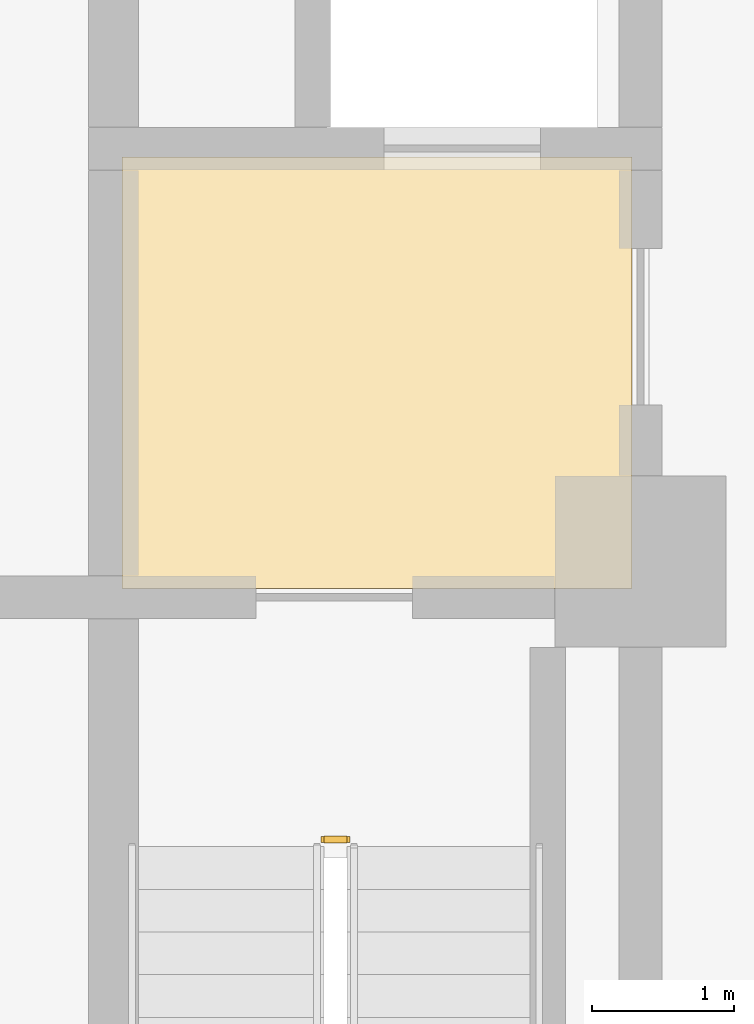
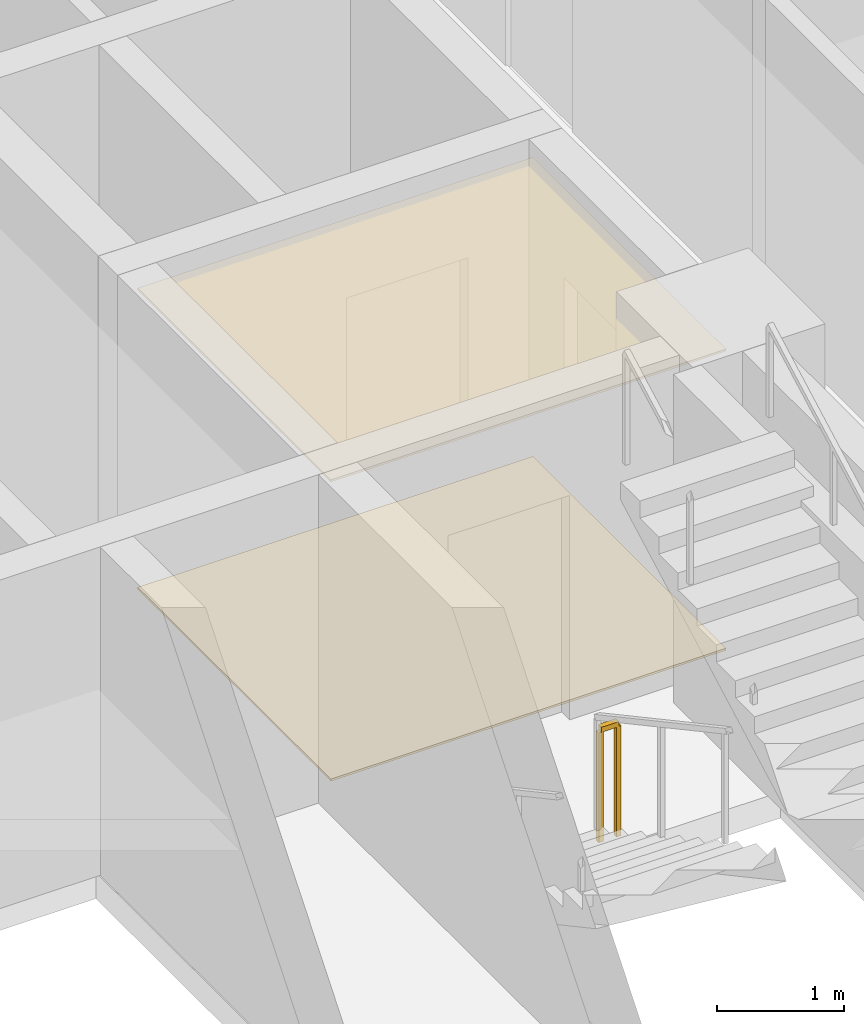
# One storey, part 9 of 12: 2 coverings, 1 railing.
"""IFC4 building model written with IfcOpenShell, lengths in metres."""

import ifcopenshell
import ifcopenshell.guid

model = None  # the IFC model being written
_history = None  # IfcOwnerHistory: only IFC2X3 demands one
_inside = {}  # id of a spatial element -> (the spatial element, [elements in it])
_under = {}  # id of a project, library or spatial element -> (it, [spatial elements below it])
_declared = {}  # id of a project -> (the project, [libraries it declares])
_typed = {}  # id of a type object -> (the type object, [elements of that type])
_made_of = {}  # id of a material, layer set ... -> (it, [elements and type objects made of it])


def new_model(schema):
    """Start an empty IFC model of exactly this schema.

    Asked for "IFC4X3", IfcOpenShell would pick the latest addendum, in which some entities
    have other attributes; the version numbers below select the first issue.
    IFC2X3 requires an IfcOwnerHistory on every rooted entity: one is made here for all.
    """
    global model, _history
    if schema == "IFC4X3":
        model = ifcopenshell.file(schema_version=(4, 3, 0, 0))
    else:
        model = ifcopenshell.file(schema=schema)
    _inside.clear()
    _under.clear()
    _declared.clear()
    _typed.clear()
    _made_of.clear()
    _history = None
    if model.schema == "IFC2X3":
        org = make("IfcOrganization", Name="unknown")
        user = make(
            "IfcPersonAndOrganization",
            ThePerson=make("IfcPerson", FamilyName="unknown"),
            TheOrganization=org,
        )
        app = make(
            "IfcApplication",
            ApplicationDeveloper=org,
            Version="unknown",
            ApplicationFullName="unknown",
            ApplicationIdentifier="unknown",
        )
        _history = make(
            "IfcOwnerHistory",
            OwningUser=user,
            OwningApplication=app,
            ChangeAction="ADDED",
            CreationDate=0,
        )
    return model


def make(cls, **values):
    """One entity of the class cls with the attributes given. An attribute that is None is left unset."""
    return model.create_entity(
        cls, **{name: value for name, value in values.items() if value is not None}
    )


def rooted(cls, **values):
    """An entity with a GlobalId (a new one), such as an element, a storey or a relation."""
    return make(cls, GlobalId=ifcopenshell.guid.new(), OwnerHistory=_history, **values)


def si_unit(unit_type, name, prefix=None):
    """IfcSIUnit, for example si_unit("LENGTHUNIT", "METRE", prefix="MILLI")."""
    return make("IfcSIUnit", UnitType=unit_type, Prefix=prefix, Name=name)


def assignment(units):
    """IfcUnitAssignment: the units of a project."""
    return None if units is None else make("IfcUnitAssignment", Units=units)


def point(xyz):
    """IfcCartesianPoint."""
    return None if xyz is None else make("IfcCartesianPoint", Coordinates=xyz)


def direction(xyz):
    """IfcDirection."""
    return None if xyz is None else make("IfcDirection", DirectionRatios=xyz)


def frame(location, z_axis=None, x_axis=None):
    """IfcAxis2Placement3D, a coordinate frame: its origin and axes. An axis left out is left unset."""
    return make(
        "IfcAxis2Placement3D",
        Location=point(location),
        Axis=direction(z_axis),
        RefDirection=direction(x_axis),
    )


def frame_2d(location, x_axis=None):
    """IfcAxis2Placement2D, a coordinate frame in the plane: its origin and x axis."""
    return make(
        "IfcAxis2Placement2D", Location=point(location), RefDirection=direction(x_axis)
    )


def origin():
    """The frame at (0, 0, 0) with its axes left unset."""
    return frame((0.0, 0.0, 0.0))


def origin_2d():
    """The frame at (0, 0) in the plane with its x axis left unset."""
    return frame_2d((0.0, 0.0))


def place(relative_to, where):
    """IfcLocalPlacement: puts the frame where relative to a parent placement (None: the world)."""
    return make(
        "IfcLocalPlacement", PlacementRelTo=relative_to, RelativePlacement=where
    )


def context(
    kind, dimensions, precision=None, world=None, true_north=None, identifier=None
):
    """IfcGeometricRepresentationContext, for example the 3D "Model" context."""
    return make(
        "IfcGeometricRepresentationContext",
        ContextIdentifier=identifier,
        ContextType=kind,
        CoordinateSpaceDimension=dimensions,
        Precision=precision,
        WorldCoordinateSystem=world,
        TrueNorth=true_north,
    )


def subcontext(parent, identifier, kind, view, scale=None):
    """IfcGeometricRepresentationSubContext, for example "Body" below "Model"."""
    return make(
        "IfcGeometricRepresentationSubContext",
        ContextIdentifier=identifier,
        ContextType=kind,
        ParentContext=parent,
        TargetScale=scale,
        TargetView=view,
    )


def project(units=None, contexts=None):
    """IfcProject with its units and contexts."""
    return rooted(
        "IfcProject",
        Name="project",
        RepresentationContexts=contexts,
        UnitsInContext=assignment(units),
    )


def spatial(cls, under=None, at=None, **own):
    """A site, building, storey or space (cls), placed at a placement, below another one or the project."""
    s = rooted(cls, ObjectPlacement=at, **own)
    if under is not None:
        _under.setdefault(under.id(), (under, []))[1].append(s)
    return s


def polyline(points):
    """IfcPolyline through the points."""
    return make("IfcPolyline", Points=[point(p) for p in points])


def profile(cls, at=None, kind="AREA", **sizes):
    """A parametric profile (cls). Its sizes go by their IFC names, for example OverallWidth=200.0."""
    return make(cls, ProfileType=kind, Position=at, **sizes)


def rectangle(**sizes):
    """IfcRectangleProfileDef."""
    return profile("IfcRectangleProfileDef", **sizes)


def outline(outer, holes=None, kind="AREA"):
    """IfcArbitraryClosedProfileDef: a profile drawn as a closed curve; with holes, ...WithVoids."""
    if holes is None:
        return make("IfcArbitraryClosedProfileDef", ProfileType=kind, OuterCurve=outer)
    return make(
        "IfcArbitraryProfileDefWithVoids",
        ProfileType=kind,
        OuterCurve=outer,
        InnerCurves=holes,
    )


def extrude(swept, where, along, depth):
    """IfcExtrudedAreaSolid: the profile swept, set in the frame where, extruded along a direction by depth."""
    return make(
        "IfcExtrudedAreaSolid",
        SweptArea=swept,
        Position=where,
        ExtrudedDirection=direction(along),
        Depth=depth,
    )


def shape(context_of_items, identifier, shape_type, items):
    """IfcShapeRepresentation: the items that make up one representation, for example the "Body"."""
    return make(
        "IfcShapeRepresentation",
        ContextOfItems=context_of_items,
        RepresentationIdentifier=identifier,
        RepresentationType=shape_type,
        Items=items,
    )


def material(Name=None, Category=None):
    """IfcMaterial."""
    return make("IfcMaterial", Name=Name, Category=Category)


def layer(
    of_material, thickness, ventilated=None, Name=None, Category=None, Priority=None
):
    """IfcMaterialLayer: one layer of a wall or slab, of a material (None: an air gap)."""
    return make(
        "IfcMaterialLayer",
        Material=of_material,
        LayerThickness=thickness,
        IsVentilated=ventilated,
        Name=Name,
        Category=Category,
        Priority=Priority,
    )


def layer_set(layers, Name=None):
    """IfcMaterialLayerSet."""
    return make("IfcMaterialLayerSet", MaterialLayers=layers, LayerSetName=Name)


def made_of(thing, what):
    """Note that an element or type object is made of a material, layer set ...; save() writes the relation."""
    if what is not None:
        _made_of.setdefault(what.id(), (what, []))[1].append(thing)
    return thing


def type_object(cls, material=None, **own):
    """A type object (cls), such as IfcWallType, which elements share."""
    return made_of(rooted(cls, **own), material)


def element(
    cls,
    number,
    at=None,
    inside=None,
    cuts=None,
    type_object=None,
    material=None,
    context=None,
    identifier="Body",
    shape_type=None,
    held_by="IfcProductDefinitionShape",
    body=None,
    shapes=None,
    **own,
):
    """One element of the class cls, such as IfcWall. Its Tag is "e" and its number.

    at: its placement. inside: the storey or other place that contains it. cuts: it is an
    opening in that element (IfcRelVoidsElement). A single representation is given by context,
    identifier, shape_type and body (its items); several are given by shapes. held_by: the class
    of the entity that holds the representations. save() writes the other relations.
    """
    e = rooted(cls, Tag="e%d" % number, ObjectPlacement=at, **own)
    if body is not None:
        shapes = [shape(context, identifier, shape_type, body)]
    if shapes is not None:
        e.Representation = make(held_by, Representations=shapes)
    if inside is not None:
        _inside.setdefault(inside.id(), (inside, []))[1].append(e)
    if cuts is not None:
        rooted(
            "IfcRelVoidsElement", RelatingBuildingElement=cuts, RelatedOpeningElement=e
        )
    if type_object is not None:
        _typed.setdefault(type_object.id(), (type_object, []))[1].append(e)
    return made_of(e, material)


def aggregate(whole, parts):
    """IfcRelAggregates: a whole, such as a stair, and the parts it consists of."""
    return rooted("IfcRelAggregates", RelatingObject=whole, RelatedObjects=parts)


def save(model, path):
    """Write the relations noted so far, then the file.

    IfcRelAggregates (storeys below a building ...), IfcRelContainedInSpatialStructure (elements
    in a storey), IfcRelDefinesByType, IfcRelAssociatesMaterial and IfcRelDeclares: one each for
    every whole, place, type object, material and project.
    """
    for whole, parts in _under.values():
        aggregate(whole, parts)
    for where, things in _inside.values():
        rooted(
            "IfcRelContainedInSpatialStructure",
            RelatedElements=things,
            RelatingStructure=where,
        )
    for kind, things in _typed.values():
        rooted("IfcRelDefinesByType", RelatedObjects=things, RelatingType=kind)
    for what, things in _made_of.values():
        rooted("IfcRelAssociatesMaterial", RelatedObjects=things, RelatingMaterial=what)
    for by, libraries in _declared.values():
        rooted("IfcRelDeclares", RelatingContext=by, RelatedDefinitions=libraries)
    model.write(path)


model = new_model("IFC4")

# Units and contexts
model_context = context("Model", 3, precision=1e-05, world=origin(), true_north=direction((0.0, 1.0)))
body_context = subcontext(model_context, "Body", "Model", "MODEL_VIEW")
ifc_project = project(units=[si_unit("LENGTHUNIT", "METRE"), si_unit("AREAUNIT", "SQUARE_METRE"), si_unit("VOLUMEUNIT", "CUBIC_METRE"), si_unit("PLANEANGLEUNIT", "RADIAN"), si_unit("MASSUNIT", "GRAM", prefix="KILO")], contexts=[model_context])

# Site, building, storey
site_placement = place(None, origin())
site = spatial("IfcSite", under=ifc_project, at=site_placement, CompositionType="ELEMENT")
building_placement = place(site_placement, origin())
building = spatial("IfcBuilding", under=site, at=building_placement, Name="Zulmaris Gate Convention Tower", CompositionType="ELEMENT")
storey_placement = place(building_placement, frame((0.0, 0.0, 48.6201171875)))
storey = spatial("IfcBuildingStorey", under=building, at=storey_placement, Name="L11", CompositionType="ELEMENT", Elevation=48.6201171875)

# Coverings
ifc_material_1 = material(Name="Mineral Fibre Acoustic Ceiling Tile")
ifc_layer_1 = layer(ifc_material_1, 0.02001953125, Name="Mineral Fibre Acoustic Ceiling Tile")
ifc_layer_set_1 = layer_set([ifc_layer_1], Name="Mineral Fibre Acoustic Ceiling Tile")
covering_type_1 = type_object("IfcCoveringType", Name="CLG-ACOUSTIC-600", PredefinedType="CEILING", material=ifc_layer_set_1)
covering_1_placement = place(storey_placement, frame((0.0, 0.0, 2.86474609375)))
element("IfcCovering", 1, at=covering_1_placement, inside=storey, type_object=covering_type_1, Name="CLG-L11-R03", PredefinedType="CEILING", context=body_context, shape_type="SweptSolid", body=[
    extrude(outline(polyline([(-14.639892578125, -0.18994140625), (-11.06005859375, -0.18994140625), (-11.06005859375, 2.840087890625), (-14.639892578125, 2.840087890625), (-14.639892578125, -0.18994140625)])), origin(), (0.0, 0.0, 1.0), 0.02001953125),
])
ifc_material_2 = material(Name="Woven Acoustic Wool Carpet Tile")
ifc_layer_2 = layer(ifc_material_2, 0.02001953125, Name="Woven Acoustic Wool Carpet Tile")
ifc_layer_set_2 = layer_set([ifc_layer_2], Name="Woven Acoustic Wool Carpet Tile")
covering_type_2 = type_object("IfcCoveringType", Name="FLR-CARPET-12", PredefinedType="FLOORING", material=ifc_layer_set_2)
covering_2_placement = place(storey_placement, origin())
element("IfcCovering", 2, at=covering_2_placement, inside=storey, type_object=covering_type_2, Name="FLR-L11-R03", PredefinedType="FLOORING", context=body_context, shape_type="SweptSolid", body=[
    extrude(outline(polyline([(-14.639892578125, -0.18994140625), (-11.06005859375, -0.18994140625), (-11.06005859375, 2.840087890625), (-14.639892578125, 2.840087890625), (-14.639892578125, -0.18994140625)])), origin(), (0.0, 0.0, 1.0), 0.02001953125),
])

# Railing
ifc_material_3 = material(Name="Painted Galvanised Steel", Category="steel")
railing_type = type_object("IfcRailingType", Name="RL-STG-1150", PredefinedType="GUARDRAIL", material=ifc_material_3)
railing_placement = place(storey_placement, frame((-13.219970703125, -1.949951171875, 0.0)))
element("IfcRailing", 3, at=railing_placement, inside=storey, type_object=railing_type, Name="L11 ST-1 stair guard 4", PredefinedType="GUARDRAIL", context=body_context, shape_type="SweptSolid", body=[
    extrude(rectangle(XDim=0.048095703125, YDim=0.048095703125, at=origin_2d()), frame((0.0, 0.0, 1.076171875), z_axis=(1.0, 0.0, 0.0), x_axis=(0.0, 1.0, 0.0)), (0.0, 0.0, 1.0), 0.159912109375),
    extrude(rectangle(XDim=0.0419921875, YDim=0.0419921875, at=origin_2d()), origin(), (0.0, 0.0, 1.0), 1.052001953125),
    extrude(rectangle(XDim=0.0419921875, YDim=0.0419921875, at=origin_2d()), frame((0.159912109375, 0.0, 0.0)), (0.0, 0.0, 1.0), 1.052001953125),
])

save(model, "model.ifc")
